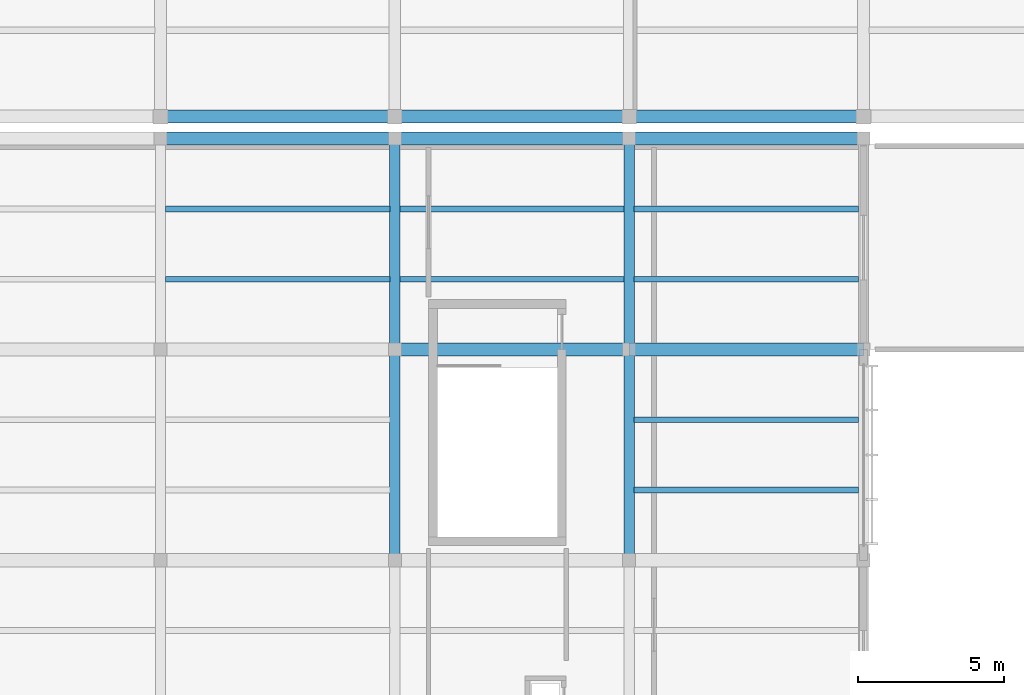
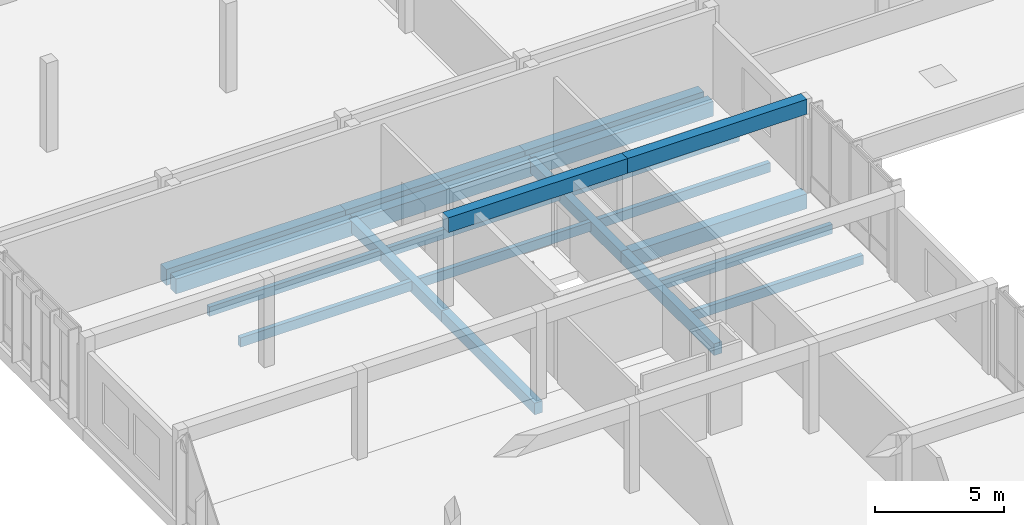
# One storey, part 28 of 107: 21 beams.
"""IFC4 building model written with IfcOpenShell, lengths in metres."""

from ifc_helpers import new_model, si_unit, direction, frame, origin, origin_2d, place, context, subcontext, project, spatial, rectangle, extrude, material, material_profile, profile_set, type_object, element, save


model = new_model("IFC4")

# Units and contexts
model_context = context("Model", 3, precision=1e-05, world=origin(), true_north=direction((0.0, 1.0)))
body_context = subcontext(model_context, "Body", "Model", "MODEL_VIEW")
ifc_project = project(units=[si_unit("LENGTHUNIT", "METRE"), si_unit("AREAUNIT", "SQUARE_METRE"), si_unit("VOLUMEUNIT", "CUBIC_METRE"), si_unit("PLANEANGLEUNIT", "RADIAN"), si_unit("MASSUNIT", "GRAM", prefix="KILO")], contexts=[model_context])

# Site, building, storey
site_placement = place(None, origin())
site = spatial("IfcSite", under=ifc_project, at=site_placement, CompositionType="ELEMENT")
building_placement = place(site_placement, origin())
building = spatial("IfcBuilding", under=site, at=building_placement, Name="Chiffa Square Polytechnic", CompositionType="ELEMENT")
storey_placement = place(building_placement, frame((0.0, 0.0, 13.800048828125)))
storey = spatial("IfcBuildingStorey", under=building, at=storey_placement, Name="L03", CompositionType="ELEMENT", Elevation=13.800048828125)

# Beams
ifc_material_1 = material(Name="Concrete C35/45", Category="concrete")
ifc_material_profile_1 = material_profile(ifc_material_1, rectangle(XDim=0.35009765625, YDim=0.550048828125, at=origin_2d()), Name="RC 350x550")
ifc_profile_set_1 = profile_set([ifc_material_profile_1], Name="Concrete C35/45")
beam_type_1 = type_object("IfcBeamType", Name="BM-RC-350X550", PredefinedType="BEAM", material=ifc_profile_set_1)
for number, where, z_axis, x_axis, name in (
    (1, (16.0, 79.800048828125, -0.53515625), (0.0, 1.0, 0.0), (-1.0, 0.0, 0.0), "Primary floor girder BM-V6-L03-Y-0160-0798"),
    (2, (16.0, 87.0, -0.53515625), (0.0, 1.0, 0.0), (-1.0, 0.0, 0.0), "Primary floor girder BM-V6-L03-Y-0160-0870"),
    (3, (24.0, 79.800048828125, -0.53515625), (0.0, 1.0, 0.0), (-1.0, 0.0, 0.0), "Primary floor girder BM-V6-L03-Y-0240-0798"),
    (4, (24.0, 87.0, -0.53515625), (0.0, 1.0, 0.0), (-1.0, 0.0, 0.0), "Primary floor girder BM-V6-L03-Y-0240-0870"),
):
    element("IfcBeam", number, at=place(storey_placement, frame(where, z_axis=z_axis, x_axis=x_axis)), inside=storey, type_object=beam_type_1, Name=name, PredefinedType="BEAM", context=body_context, shape_type="SweptSolid", body=[
        extrude(rectangle(XDim=0.35009765625, YDim=0.550048828125, at=origin_2d()), origin(), (0.0, 0.0, 1.0), 7.199951171875),
    ])
ifc_material_profile_2 = material_profile(ifc_material_1, rectangle(XDim=0.449951171875, YDim=0.699951171875, at=origin_2d()), Name="RC 450x700")
ifc_profile_set_2 = profile_set([ifc_material_profile_2], Name="Concrete C35/45")
beam_type_2 = type_object("IfcBeamType", Name="BM-RC-450X700", PredefinedType="BEAM", material=ifc_profile_set_2)
for number, where, z_axis, x_axis, name in (
    (5, (24.0, 87.0, -0.610107421875), (1.0, 0.0, 0.0), (0.0, 1.0, 0.0), "Primary floor girder BM-V6-L03-X-0240-0870"),
    (6, (8.0, 94.199951171875, -0.610107421875), (1.0, 0.0, 0.0), (0.0, 1.0, 0.0), "Primary floor girder BM-V6-L03-X-0080-0942"),
    (7, (16.0, 94.199951171875, -0.610107421875), (1.0, 0.0, 0.0), (0.0, 1.0, 0.0), "Primary floor girder BM-V6-L03-X-0160-0942"),
    (8, (24.0, 94.199951171875, -0.610107421875), (1.0, 0.0, 0.0), (0.0, 1.0, 0.0), "Primary floor girder BM-V6-L03-X-0240-0942"),
    (9, (16.0, 87.0, 3.849853515625), (1.0, 0.0, 0.0), (0.0, 1.0, 0.0), "Sawtooth monitor sill beam BM-V6-SAWTIE-Y7-3"),
    (10, (24.0, 87.0, 3.849853515625), (1.0, 0.0, 0.0), (0.0, 1.0, 0.0), "Sawtooth monitor sill beam BM-V6-SAWTIE-Y7-4"),
):
    element("IfcBeam", number, at=place(storey_placement, frame(where, z_axis=z_axis, x_axis=x_axis)), inside=storey, type_object=beam_type_2, Name=name, PredefinedType="BEAM", context=body_context, shape_type="SweptSolid", body=[
        extrude(rectangle(XDim=0.449951171875, YDim=0.699951171875, at=origin_2d()), origin(), (0.0, 0.0, 1.0), 8.0),
    ])
ifc_material_profile_3 = material_profile(ifc_material_1, rectangle(XDim=0.449951171875, YDim=0.75, at=origin_2d()), Name="RC 450x750")
ifc_profile_set_3 = profile_set([ifc_material_profile_3], Name="Concrete C35/45")
beam_type_3 = type_object("IfcBeamType", Name="BM-RC-450X750", PredefinedType="BEAM", material=ifc_profile_set_3)
for number, where, z_axis, x_axis, name in (
    (11, (8.0, 94.949951171875, -0.635009765625), (1.0, 0.0, 0.0), (0.0, 1.0, 0.0), "Primary floor girder BM-V5-L03-X-0080-0950"),
    (12, (16.0, 94.949951171875, -0.635009765625), (1.0, 0.0, 0.0), (0.0, 1.0, 0.0), "Primary floor girder BM-V5-L03-X-0160-0950"),
    (13, (24.0, 94.949951171875, -0.635009765625), (1.0, 0.0, 0.0), (0.0, 1.0, 0.0), "Primary floor girder BM-V5-L03-X-0240-0950"),
):
    element("IfcBeam", number, at=place(storey_placement, frame(where, z_axis=z_axis, x_axis=x_axis)), inside=storey, type_object=beam_type_3, Name=name, PredefinedType="BEAM", context=body_context, shape_type="SweptSolid", body=[
        extrude(rectangle(XDim=0.449951171875, YDim=0.75, at=origin_2d()), origin(), (0.0, 0.0, 1.0), 8.0),
    ])
ifc_material_2 = material(Name="Glulam GL28h", Category="wood")
ifc_material_profile_4 = material_profile(ifc_material_2, rectangle(XDim=0.199951171875, YDim=0.43994140625, at=origin_2d()), Name="GL28h 200x440")
ifc_profile_set_4 = profile_set([ifc_material_profile_4], Name="Glulam GL28h")
beam_type_4 = type_object("IfcBeamType", Name="JST-GL-200X440", PredefinedType="JOIST", material=ifc_profile_set_4)
for number, where, z_axis, x_axis, name in (
    (14, (8.173095703125, 89.39990234375, -0.47998046875), (1.0, 0.0, 0.0), (0.0, 1.0, 0.0), "Secondary floor joist JST-V6-L03-0080-0894"),
    (15, (8.173095703125, 91.800048828125, -0.47998046875), (1.0, 0.0, 0.0), (0.0, 1.0, 0.0), "Secondary floor joist JST-V6-L03-0080-0918"),
    (16, (16.173095703125, 89.39990234375, -0.47998046875), (1.0, 0.0, 0.0), (0.0, 1.0, 0.0), "Secondary floor joist JST-V6-L03-0160-0894"),
    (17, (16.173095703125, 91.800048828125, -0.47998046875), (1.0, 0.0, 0.0), (0.0, 1.0, 0.0), "Secondary floor joist JST-V6-L03-0160-0918"),
    (18, (24.173095703125, 82.199951171875, -0.47998046875), (1.0, 0.0, 0.0), (0.0, 1.0, 0.0), "Secondary floor joist JST-V6-L03-0240-0822"),
    (19, (24.173095703125, 84.60009765625, -0.47998046875), (1.0, 0.0, 0.0), (0.0, 1.0, 0.0), "Secondary floor joist JST-V6-L03-0240-0846"),
    (20, (24.173095703125, 89.39990234375, -0.47998046875), (1.0, 0.0, 0.0), (0.0, 1.0, 0.0), "Secondary floor joist JST-V6-L03-0240-0894"),
    (21, (24.173095703125, 91.800048828125, -0.47998046875), (1.0, 0.0, 0.0), (0.0, 1.0, 0.0), "Secondary floor joist JST-V6-L03-0240-0918"),
):
    element("IfcBeam", number, at=place(storey_placement, frame(where, z_axis=z_axis, x_axis=x_axis)), inside=storey, type_object=beam_type_4, Name=name, PredefinedType="JOIST", context=body_context, shape_type="SweptSolid", body=[
        extrude(rectangle(XDim=0.199951171875, YDim=0.43994140625, at=origin_2d()), origin(), (0.0, 0.0, 1.0), 7.65380859375),
    ])

save(model, "model.ifc")
